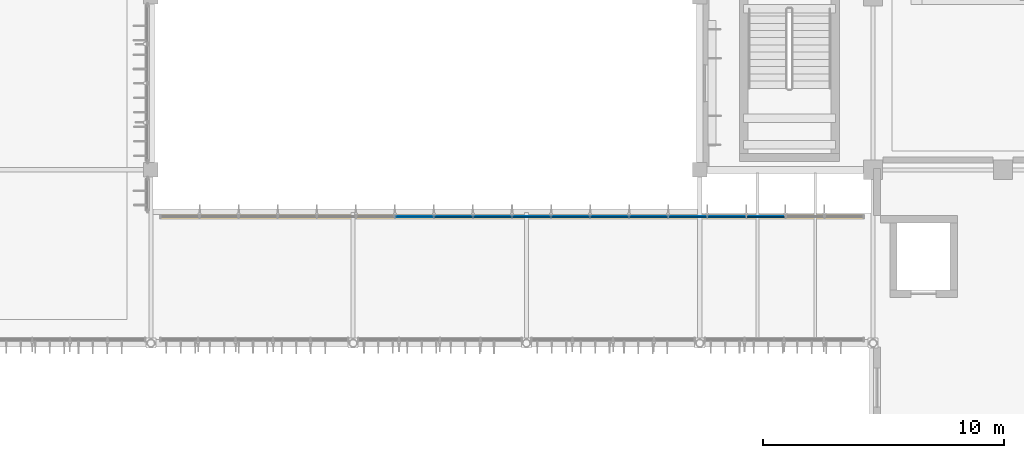
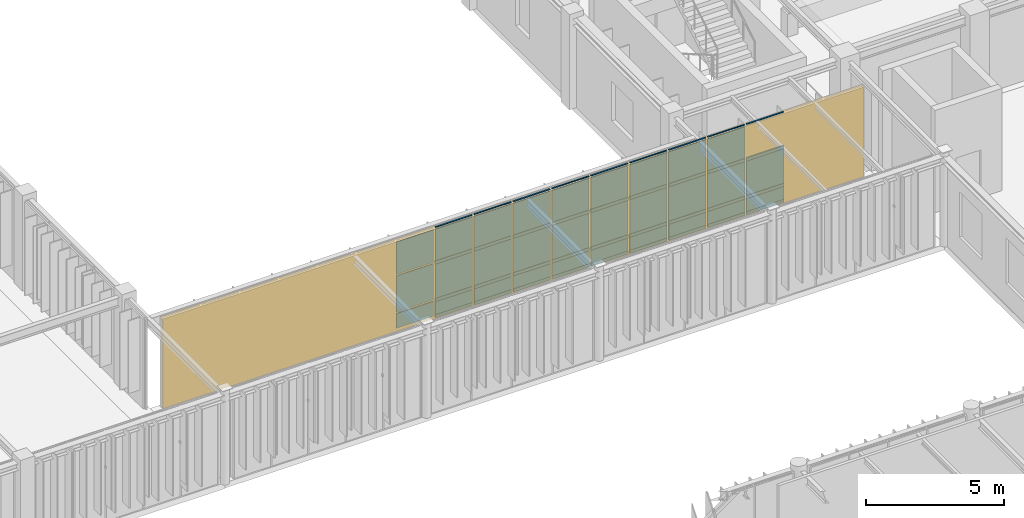
# One storey, part 74 of 104: 36 members, 29 plates, plus 1 element that does not belong to this part.
"""IFC4 building model written with IfcOpenShell, lengths in metres."""

from ifc_helpers import new_model, si_unit, direction, frame, frame_2d, origin, origin_2d, place, context, subcontext, project, spatial, rectangle, extrude, material, layer, layer_set, material_profile, profile_set, type_object, element, aggregate, save


model = new_model("IFC4")

# Units and contexts
model_context = context("Model", 3, precision=1e-05, world=origin(), true_north=direction((0.0, 1.0)))
body_context = subcontext(model_context, "Body", "Model", "MODEL_VIEW")
ifc_project = project(units=[si_unit("LENGTHUNIT", "METRE"), si_unit("AREAUNIT", "SQUARE_METRE"), si_unit("VOLUMEUNIT", "CUBIC_METRE"), si_unit("PLANEANGLEUNIT", "RADIAN"), si_unit("MASSUNIT", "GRAM", prefix="KILO")], contexts=[model_context])

# Member
ifc_material_1 = material(Name="Anodised Bronze Aluminium 6063-T6", Category="aluminium")
ifc_material_profile = material_profile(ifc_material_1, rectangle(XDim=0.06005859375, YDim=0.139892578125, at=origin_2d()), Name="ALU TRANSOM 60x140")
ifc_profile_set = profile_set([ifc_material_profile], Name="Anodised Bronze Aluminium 6063-T6")
member_type = type_object("IfcMemberType", Name="Curtain-Wall Transom 60x140", PredefinedType="USERDEFINED", material=ifc_profile_set)
site_placement = place(None, origin())
building_placement = place(site_placement, origin())
storey_placement = place(building_placement, frame((0.0, 0.0, 9.0)))
member_1_placement = place(storey_placement, frame((39.390625, 49.85009765625, 0.0400390625), z_axis=(1.0, 0.0, 0.0), x_axis=(0.0, 1.0, 0.0)))
member_1 = element("IfcMember", 1, at=member_1_placement, type_object=member_type, Name="Transom CWT-01 CW-WLNK-N-L02-T08.1", ObjectType="TRANSOM", PredefinedType="USERDEFINED", context=body_context, shape_type="SweptSolid", body=[
    extrude(rectangle(XDim=0.06005859375, YDim=0.139892578125, at=origin_2d()), origin(), (0.0, 0.0, 1.0), 1.55224609375),
])

member_2_placement = place(storey_placement, frame((39.390625, 49.85009765625, 0.75), z_axis=(1.0, 0.0, 0.0), x_axis=(0.0, 1.0, 0.0)))
member_2 = element("IfcMember", 2, at=member_2_placement, type_object=member_type, Name="Transom CWT-01 CW-WLNK-N-L02-T08.2", ObjectType="TRANSOM", PredefinedType="USERDEFINED", context=body_context, shape_type="SweptSolid", body=[
    extrude(rectangle(XDim=0.06005859375, YDim=0.139892578125, at=origin_2d()), origin(), (0.0, 0.0, 1.0), 1.55224609375),
])

member_3_placement = place(storey_placement, frame((39.390625, 49.85009765625, 2.40869140625), z_axis=(1.0, 0.0, 0.0), x_axis=(0.0, 1.0, 0.0)))
member_3 = element("IfcMember", 3, at=member_3_placement, type_object=member_type, Name="Transom CWT-01 CW-WLNK-N-L02-T08.3", ObjectType="TRANSOM", PredefinedType="USERDEFINED", context=body_context, shape_type="SweptSolid", body=[
    extrude(rectangle(XDim=0.06005859375, YDim=0.139892578125, at=origin_2d()), origin(), (0.0, 0.0, 1.0), 1.55224609375),
])

member_4_placement = place(storey_placement, frame((39.390625, 49.85009765625, 3.89990234375), z_axis=(1.0, 0.0, 0.0), x_axis=(0.0, 1.0, 0.0)))
member_4 = element("IfcMember", 4, at=member_4_placement, type_object=member_type, Name="Transom CWT-01 CW-WLNK-N-L02-T08.4", ObjectType="TRANSOM", PredefinedType="USERDEFINED", context=body_context, shape_type="SweptSolid", body=[
    extrude(rectangle(XDim=0.06005859375, YDim=0.139892578125, at=origin_2d()), origin(), (0.0, 0.0, 1.0), 1.55224609375),
])

member_5_placement = place(storey_placement, frame((41.0126953125, 49.85009765625, 0.0400390625), z_axis=(1.0, 0.0, 0.0), x_axis=(0.0, 1.0, 0.0)))
member_5 = element("IfcMember", 5, at=member_5_placement, type_object=member_type, Name="Transom CWT-01 CW-WLNK-N-L02-T09.1", ObjectType="TRANSOM", PredefinedType="USERDEFINED", context=body_context, shape_type="SweptSolid", body=[
    extrude(rectangle(XDim=0.06005859375, YDim=0.139892578125, at=origin_2d()), origin(), (0.0, 0.0, 1.0), 1.55224609375),
])

member_6_placement = place(storey_placement, frame((41.0126953125, 49.85009765625, 0.75), z_axis=(1.0, 0.0, 0.0), x_axis=(0.0, 1.0, 0.0)))
member_6 = element("IfcMember", 6, at=member_6_placement, type_object=member_type, Name="Transom CWT-01 CW-WLNK-N-L02-T09.2", ObjectType="TRANSOM", PredefinedType="USERDEFINED", context=body_context, shape_type="SweptSolid", body=[
    extrude(rectangle(XDim=0.06005859375, YDim=0.139892578125, at=origin_2d()), origin(), (0.0, 0.0, 1.0), 1.55224609375),
])

member_7_placement = place(storey_placement, frame((41.0126953125, 49.85009765625, 2.40869140625), z_axis=(1.0, 0.0, 0.0), x_axis=(0.0, 1.0, 0.0)))
member_7 = element("IfcMember", 7, at=member_7_placement, type_object=member_type, Name="Transom CWT-01 CW-WLNK-N-L02-T09.3", ObjectType="TRANSOM", PredefinedType="USERDEFINED", context=body_context, shape_type="SweptSolid", body=[
    extrude(rectangle(XDim=0.06005859375, YDim=0.139892578125, at=origin_2d()), origin(), (0.0, 0.0, 1.0), 1.55224609375),
])

member_8_placement = place(storey_placement, frame((41.0126953125, 49.85009765625, 3.89990234375), z_axis=(1.0, 0.0, 0.0), x_axis=(0.0, 1.0, 0.0)))
member_8 = element("IfcMember", 8, at=member_8_placement, type_object=member_type, Name="Transom CWT-01 CW-WLNK-N-L02-T09.4", ObjectType="TRANSOM", PredefinedType="USERDEFINED", context=body_context, shape_type="SweptSolid", body=[
    extrude(rectangle(XDim=0.06005859375, YDim=0.139892578125, at=origin_2d()), origin(), (0.0, 0.0, 1.0), 1.55224609375),
])

member_9_placement = place(storey_placement, frame((42.635009765625, 49.85009765625, 0.0400390625), z_axis=(1.0, 0.0, 0.0), x_axis=(0.0, 1.0, 0.0)))
member_9 = element("IfcMember", 9, at=member_9_placement, type_object=member_type, Name="Transom CWT-01 CW-WLNK-N-L02-T10.1", ObjectType="TRANSOM", PredefinedType="USERDEFINED", context=body_context, shape_type="SweptSolid", body=[
    extrude(rectangle(XDim=0.06005859375, YDim=0.139892578125, at=origin_2d()), origin(), (0.0, 0.0, 1.0), 1.55224609375),
])

member_10_placement = place(storey_placement, frame((42.635009765625, 49.85009765625, 0.75), z_axis=(1.0, 0.0, 0.0), x_axis=(0.0, 1.0, 0.0)))
member_10 = element("IfcMember", 10, at=member_10_placement, type_object=member_type, Name="Transom CWT-01 CW-WLNK-N-L02-T10.2", ObjectType="TRANSOM", PredefinedType="USERDEFINED", context=body_context, shape_type="SweptSolid", body=[
    extrude(rectangle(XDim=0.06005859375, YDim=0.139892578125, at=origin_2d()), origin(), (0.0, 0.0, 1.0), 1.55224609375),
])

member_11_placement = place(storey_placement, frame((42.635009765625, 49.85009765625, 2.40869140625), z_axis=(1.0, 0.0, 0.0), x_axis=(0.0, 1.0, 0.0)))
member_11 = element("IfcMember", 11, at=member_11_placement, type_object=member_type, Name="Transom CWT-01 CW-WLNK-N-L02-T10.3", ObjectType="TRANSOM", PredefinedType="USERDEFINED", context=body_context, shape_type="SweptSolid", body=[
    extrude(rectangle(XDim=0.06005859375, YDim=0.139892578125, at=origin_2d()), origin(), (0.0, 0.0, 1.0), 1.55224609375),
])

member_12_placement = place(storey_placement, frame((42.635009765625, 49.85009765625, 3.89990234375), z_axis=(1.0, 0.0, 0.0), x_axis=(0.0, 1.0, 0.0)))
member_12 = element("IfcMember", 12, at=member_12_placement, type_object=member_type, Name="Transom CWT-01 CW-WLNK-N-L02-T10.4", ObjectType="TRANSOM", PredefinedType="USERDEFINED", context=body_context, shape_type="SweptSolid", body=[
    extrude(rectangle(XDim=0.06005859375, YDim=0.139892578125, at=origin_2d()), origin(), (0.0, 0.0, 1.0), 1.55224609375),
])

member_13_placement = place(storey_placement, frame((44.257080078125, 49.85009765625, 0.0400390625), z_axis=(1.0, 0.0, 0.0), x_axis=(0.0, 1.0, 0.0)))
member_13 = element("IfcMember", 13, at=member_13_placement, type_object=member_type, Name="Transom CWT-01 CW-WLNK-N-L02-T11.1", ObjectType="TRANSOM", PredefinedType="USERDEFINED", context=body_context, shape_type="SweptSolid", body=[
    extrude(rectangle(XDim=0.06005859375, YDim=0.139892578125, at=origin_2d()), origin(), (0.0, 0.0, 1.0), 1.55224609375),
])

member_14_placement = place(storey_placement, frame((44.257080078125, 49.85009765625, 0.75), z_axis=(1.0, 0.0, 0.0), x_axis=(0.0, 1.0, 0.0)))
member_14 = element("IfcMember", 14, at=member_14_placement, type_object=member_type, Name="Transom CWT-01 CW-WLNK-N-L02-T11.2", ObjectType="TRANSOM", PredefinedType="USERDEFINED", context=body_context, shape_type="SweptSolid", body=[
    extrude(rectangle(XDim=0.06005859375, YDim=0.139892578125, at=origin_2d()), origin(), (0.0, 0.0, 1.0), 1.55224609375),
])

member_15_placement = place(storey_placement, frame((44.257080078125, 49.85009765625, 2.40869140625), z_axis=(1.0, 0.0, 0.0), x_axis=(0.0, 1.0, 0.0)))
member_15 = element("IfcMember", 15, at=member_15_placement, type_object=member_type, Name="Transom CWT-01 CW-WLNK-N-L02-T11.3", ObjectType="TRANSOM", PredefinedType="USERDEFINED", context=body_context, shape_type="SweptSolid", body=[
    extrude(rectangle(XDim=0.06005859375, YDim=0.139892578125, at=origin_2d()), origin(), (0.0, 0.0, 1.0), 1.55224609375),
])

member_16_placement = place(storey_placement, frame((44.257080078125, 49.85009765625, 3.89990234375), z_axis=(1.0, 0.0, 0.0), x_axis=(0.0, 1.0, 0.0)))
member_16 = element("IfcMember", 16, at=member_16_placement, type_object=member_type, Name="Transom CWT-01 CW-WLNK-N-L02-T11.4", ObjectType="TRANSOM", PredefinedType="USERDEFINED", context=body_context, shape_type="SweptSolid", body=[
    extrude(rectangle(XDim=0.06005859375, YDim=0.139892578125, at=origin_2d()), origin(), (0.0, 0.0, 1.0), 1.55224609375),
])

member_17_placement = place(storey_placement, frame((45.87939453125, 49.85009765625, 0.0400390625), z_axis=(1.0, 0.0, 0.0), x_axis=(0.0, 1.0, 0.0)))
member_17 = element("IfcMember", 17, at=member_17_placement, type_object=member_type, Name="Transom CWT-01 CW-WLNK-N-L02-T12.1", ObjectType="TRANSOM", PredefinedType="USERDEFINED", context=body_context, shape_type="SweptSolid", body=[
    extrude(rectangle(XDim=0.06005859375, YDim=0.139892578125, at=origin_2d()), origin(), (0.0, 0.0, 1.0), 1.55224609375),
])

member_18_placement = place(storey_placement, frame((45.87939453125, 49.85009765625, 0.75), z_axis=(1.0, 0.0, 0.0), x_axis=(0.0, 1.0, 0.0)))
member_18 = element("IfcMember", 18, at=member_18_placement, type_object=member_type, Name="Transom CWT-01 CW-WLNK-N-L02-T12.2", ObjectType="TRANSOM", PredefinedType="USERDEFINED", context=body_context, shape_type="SweptSolid", body=[
    extrude(rectangle(XDim=0.06005859375, YDim=0.139892578125, at=origin_2d()), origin(), (0.0, 0.0, 1.0), 1.55224609375),
])

member_19_placement = place(storey_placement, frame((45.87939453125, 49.85009765625, 2.40869140625), z_axis=(1.0, 0.0, 0.0), x_axis=(0.0, 1.0, 0.0)))
member_19 = element("IfcMember", 19, at=member_19_placement, type_object=member_type, Name="Transom CWT-01 CW-WLNK-N-L02-T12.3", ObjectType="TRANSOM", PredefinedType="USERDEFINED", context=body_context, shape_type="SweptSolid", body=[
    extrude(rectangle(XDim=0.06005859375, YDim=0.139892578125, at=origin_2d()), origin(), (0.0, 0.0, 1.0), 1.55224609375),
])

member_20_placement = place(storey_placement, frame((45.87939453125, 49.85009765625, 3.89990234375), z_axis=(1.0, 0.0, 0.0), x_axis=(0.0, 1.0, 0.0)))
member_20 = element("IfcMember", 20, at=member_20_placement, type_object=member_type, Name="Transom CWT-01 CW-WLNK-N-L02-T12.4", ObjectType="TRANSOM", PredefinedType="USERDEFINED", context=body_context, shape_type="SweptSolid", body=[
    extrude(rectangle(XDim=0.06005859375, YDim=0.139892578125, at=origin_2d()), origin(), (0.0, 0.0, 1.0), 1.55224609375),
])

member_21_placement = place(storey_placement, frame((47.501708984375, 49.85009765625, 0.0400390625), z_axis=(1.0, 0.0, 0.0), x_axis=(0.0, 1.0, 0.0)))
member_21 = element("IfcMember", 21, at=member_21_placement, type_object=member_type, Name="Transom CWT-01 CW-WLNK-N-L02-T13.1", ObjectType="TRANSOM", PredefinedType="USERDEFINED", context=body_context, shape_type="SweptSolid", body=[
    extrude(rectangle(XDim=0.06005859375, YDim=0.139892578125, at=origin_2d()), origin(), (0.0, 0.0, 1.0), 1.55224609375),
])

member_22_placement = place(storey_placement, frame((47.501708984375, 49.85009765625, 0.75), z_axis=(1.0, 0.0, 0.0), x_axis=(0.0, 1.0, 0.0)))
member_22 = element("IfcMember", 22, at=member_22_placement, type_object=member_type, Name="Transom CWT-01 CW-WLNK-N-L02-T13.2", ObjectType="TRANSOM", PredefinedType="USERDEFINED", context=body_context, shape_type="SweptSolid", body=[
    extrude(rectangle(XDim=0.06005859375, YDim=0.139892578125, at=origin_2d()), origin(), (0.0, 0.0, 1.0), 1.55224609375),
])

member_23_placement = place(storey_placement, frame((47.501708984375, 49.85009765625, 2.40869140625), z_axis=(1.0, 0.0, 0.0), x_axis=(0.0, 1.0, 0.0)))
member_23 = element("IfcMember", 23, at=member_23_placement, type_object=member_type, Name="Transom CWT-01 CW-WLNK-N-L02-T13.3", ObjectType="TRANSOM", PredefinedType="USERDEFINED", context=body_context, shape_type="SweptSolid", body=[
    extrude(rectangle(XDim=0.06005859375, YDim=0.139892578125, at=origin_2d()), origin(), (0.0, 0.0, 1.0), 1.55224609375),
])

member_24_placement = place(storey_placement, frame((47.501708984375, 49.85009765625, 3.89990234375), z_axis=(1.0, 0.0, 0.0), x_axis=(0.0, 1.0, 0.0)))
member_24 = element("IfcMember", 24, at=member_24_placement, type_object=member_type, Name="Transom CWT-01 CW-WLNK-N-L02-T13.4", ObjectType="TRANSOM", PredefinedType="USERDEFINED", context=body_context, shape_type="SweptSolid", body=[
    extrude(rectangle(XDim=0.06005859375, YDim=0.139892578125, at=origin_2d()), origin(), (0.0, 0.0, 1.0), 1.55224609375),
])

member_25_placement = place(storey_placement, frame((49.123779296875, 49.85009765625, 0.0400390625), z_axis=(1.0, 0.0, 0.0), x_axis=(0.0, 1.0, 0.0)))
member_25 = element("IfcMember", 25, at=member_25_placement, type_object=member_type, Name="Transom CWT-01 CW-WLNK-N-L02-T14.1", ObjectType="TRANSOM", PredefinedType="USERDEFINED", context=body_context, shape_type="SweptSolid", body=[
    extrude(rectangle(XDim=0.06005859375, YDim=0.139892578125, at=origin_2d()), origin(), (0.0, 0.0, 1.0), 1.55224609375),
])

member_26_placement = place(storey_placement, frame((49.123779296875, 49.85009765625, 0.75), z_axis=(1.0, 0.0, 0.0), x_axis=(0.0, 1.0, 0.0)))
member_26 = element("IfcMember", 26, at=member_26_placement, type_object=member_type, Name="Transom CWT-01 CW-WLNK-N-L02-T14.2", ObjectType="TRANSOM", PredefinedType="USERDEFINED", context=body_context, shape_type="SweptSolid", body=[
    extrude(rectangle(XDim=0.06005859375, YDim=0.139892578125, at=origin_2d()), origin(), (0.0, 0.0, 1.0), 1.55224609375),
])

member_27_placement = place(storey_placement, frame((49.123779296875, 49.85009765625, 2.40869140625), z_axis=(1.0, 0.0, 0.0), x_axis=(0.0, 1.0, 0.0)))
member_27 = element("IfcMember", 27, at=member_27_placement, type_object=member_type, Name="Transom CWT-01 CW-WLNK-N-L02-T14.3", ObjectType="TRANSOM", PredefinedType="USERDEFINED", context=body_context, shape_type="SweptSolid", body=[
    extrude(rectangle(XDim=0.06005859375, YDim=0.139892578125, at=origin_2d()), origin(), (0.0, 0.0, 1.0), 1.55224609375),
])

member_28_placement = place(storey_placement, frame((49.123779296875, 49.85009765625, 3.89990234375), z_axis=(1.0, 0.0, 0.0), x_axis=(0.0, 1.0, 0.0)))
member_28 = element("IfcMember", 28, at=member_28_placement, type_object=member_type, Name="Transom CWT-01 CW-WLNK-N-L02-T14.4", ObjectType="TRANSOM", PredefinedType="USERDEFINED", context=body_context, shape_type="SweptSolid", body=[
    extrude(rectangle(XDim=0.06005859375, YDim=0.139892578125, at=origin_2d()), origin(), (0.0, 0.0, 1.0), 1.55224609375),
])

member_29_placement = place(storey_placement, frame((50.74609375, 49.85009765625, 0.0400390625), z_axis=(1.0, 0.0, 0.0), x_axis=(0.0, 1.0, 0.0)))
member_29 = element("IfcMember", 29, at=member_29_placement, type_object=member_type, Name="Transom CWT-01 CW-WLNK-N-L02-T15.1", ObjectType="TRANSOM", PredefinedType="USERDEFINED", context=body_context, shape_type="SweptSolid", body=[
    extrude(rectangle(XDim=0.06005859375, YDim=0.139892578125, at=origin_2d()), origin(), (0.0, 0.0, 1.0), 1.55224609375),
])

member_30_placement = place(storey_placement, frame((50.74609375, 49.85009765625, 0.75), z_axis=(1.0, 0.0, 0.0), x_axis=(0.0, 1.0, 0.0)))
member_30 = element("IfcMember", 30, at=member_30_placement, type_object=member_type, Name="Transom CWT-01 CW-WLNK-N-L02-T15.2", ObjectType="TRANSOM", PredefinedType="USERDEFINED", context=body_context, shape_type="SweptSolid", body=[
    extrude(rectangle(XDim=0.06005859375, YDim=0.139892578125, at=origin_2d()), origin(), (0.0, 0.0, 1.0), 1.55224609375),
])

member_31_placement = place(storey_placement, frame((50.74609375, 49.85009765625, 2.40869140625), z_axis=(1.0, 0.0, 0.0), x_axis=(0.0, 1.0, 0.0)))
member_31 = element("IfcMember", 31, at=member_31_placement, type_object=member_type, Name="Transom CWT-01 CW-WLNK-N-L02-T15.3", ObjectType="TRANSOM", PredefinedType="USERDEFINED", context=body_context, shape_type="SweptSolid", body=[
    extrude(rectangle(XDim=0.06005859375, YDim=0.139892578125, at=origin_2d()), origin(), (0.0, 0.0, 1.0), 1.55224609375),
])

member_32_placement = place(storey_placement, frame((50.74609375, 49.85009765625, 3.89990234375), z_axis=(1.0, 0.0, 0.0), x_axis=(0.0, 1.0, 0.0)))
member_32 = element("IfcMember", 32, at=member_32_placement, type_object=member_type, Name="Transom CWT-01 CW-WLNK-N-L02-T15.4", ObjectType="TRANSOM", PredefinedType="USERDEFINED", context=body_context, shape_type="SweptSolid", body=[
    extrude(rectangle(XDim=0.06005859375, YDim=0.139892578125, at=origin_2d()), origin(), (0.0, 0.0, 1.0), 1.55224609375),
])

member_33_placement = place(storey_placement, frame((52.368408203125, 49.85009765625, 0.0400390625), z_axis=(1.0, 0.0, 0.0), x_axis=(0.0, 1.0, 0.0)))
member_33 = element("IfcMember", 33, at=member_33_placement, type_object=member_type, Name="Transom CWT-01 CW-WLNK-N-L02-T16.1", ObjectType="TRANSOM", PredefinedType="USERDEFINED", context=body_context, shape_type="SweptSolid", body=[
    extrude(rectangle(XDim=0.06005859375, YDim=0.139892578125, at=origin_2d()), origin(), (0.0, 0.0, 1.0), 1.55224609375),
])

member_34_placement = place(storey_placement, frame((52.368408203125, 49.85009765625, 0.75), z_axis=(1.0, 0.0, 0.0), x_axis=(0.0, 1.0, 0.0)))
member_34 = element("IfcMember", 34, at=member_34_placement, type_object=member_type, Name="Transom CWT-01 CW-WLNK-N-L02-T16.2", ObjectType="TRANSOM", PredefinedType="USERDEFINED", context=body_context, shape_type="SweptSolid", body=[
    extrude(rectangle(XDim=0.06005859375, YDim=0.139892578125, at=origin_2d()), origin(), (0.0, 0.0, 1.0), 1.55224609375),
])

member_35_placement = place(storey_placement, frame((52.368408203125, 49.85009765625, 2.40869140625), z_axis=(1.0, 0.0, 0.0), x_axis=(0.0, 1.0, 0.0)))
member_35 = element("IfcMember", 35, at=member_35_placement, type_object=member_type, Name="Transom CWT-01 CW-WLNK-N-L02-T16.3", ObjectType="TRANSOM", PredefinedType="USERDEFINED", context=body_context, shape_type="SweptSolid", body=[
    extrude(rectangle(XDim=0.06005859375, YDim=0.139892578125, at=origin_2d()), origin(), (0.0, 0.0, 1.0), 1.55224609375),
])

member_36_placement = place(storey_placement, frame((52.368408203125, 49.85009765625, 3.89990234375), z_axis=(1.0, 0.0, 0.0), x_axis=(0.0, 1.0, 0.0)))
member_36 = element("IfcMember", 36, at=member_36_placement, type_object=member_type, Name="Transom CWT-01 CW-WLNK-N-L02-T16.4", ObjectType="TRANSOM", PredefinedType="USERDEFINED", context=body_context, shape_type="SweptSolid", body=[
    extrude(rectangle(XDim=0.06005859375, YDim=0.139892578125, at=origin_2d()), origin(), (0.0, 0.0, 1.0), 1.55224609375),
])

# Plate
ifc_material_2 = material(Name="Insulated Bronze Aluminium Spandrel Panel", Category="aluminium")
ifc_layer_1 = layer(ifc_material_2, 0.050048828125, Name="Insulated Bronze Aluminium Spandrel Panel")
ifc_layer_set_1 = layer_set([ifc_layer_1], Name="Insulated Bronze Aluminium Spandrel Panel")
plate_type_1 = type_object("IfcPlateType", Name="Insulated Anodised Aluminium Spandrel Cassette 50", PredefinedType="CURTAIN_PANEL", material=ifc_layer_set_1)
plate_1_placement = place(storey_placement, frame((38.54443359375, 49.85009765625, 0.070068359375), z_axis=(0.0, 0.0, 1.0), x_axis=(1.0, 0.0, 0.0)))
plate_1 = element("IfcPlate", 37, at=plate_1_placement, type_object=plate_type_1, Name="Curtain Panel CWP-03 CW-WLNK-N-L02-P07.1", PredefinedType="CURTAIN_PANEL", context=body_context, shape_type="SweptSolid", body=[
    extrude(rectangle(XDim=1.55224609375, YDim=0.050048828125, at=origin_2d()), origin(), (0.0, 0.0, 1.0), 0.64990234375),
])

plate_2_placement = place(storey_placement, frame((40.166748046875, 49.85009765625, 0.070068359375), z_axis=(0.0, 0.0, 1.0), x_axis=(1.0, 0.0, 0.0)))
plate_2 = element("IfcPlate", 38, at=plate_2_placement, type_object=plate_type_1, Name="Curtain Panel CWP-03 CW-WLNK-N-L02-P08.1", PredefinedType="CURTAIN_PANEL", context=body_context, shape_type="SweptSolid", body=[
    extrude(rectangle(XDim=1.55224609375, YDim=0.050048828125, at=origin_2d()), origin(), (0.0, 0.0, 1.0), 0.64990234375),
])

plate_3_placement = place(storey_placement, frame((41.788818359375, 49.85009765625, 0.070068359375), z_axis=(0.0, 0.0, 1.0), x_axis=(1.0, 0.0, 0.0)))
plate_3 = element("IfcPlate", 39, at=plate_3_placement, type_object=plate_type_1, Name="Curtain Panel CWP-03 CW-WLNK-N-L02-P09.1", PredefinedType="CURTAIN_PANEL", context=body_context, shape_type="SweptSolid", body=[
    extrude(rectangle(XDim=1.55224609375, YDim=0.050048828125, at=origin_2d()), origin(), (0.0, 0.0, 1.0), 0.64990234375),
])

plate_4_placement = place(storey_placement, frame((43.4111328125, 49.85009765625, 0.070068359375), z_axis=(0.0, 0.0, 1.0), x_axis=(1.0, 0.0, 0.0)))
plate_4 = element("IfcPlate", 40, at=plate_4_placement, type_object=plate_type_1, Name="Curtain Panel CWP-03 CW-WLNK-N-L02-P10.1", PredefinedType="CURTAIN_PANEL", context=body_context, shape_type="SweptSolid", body=[
    extrude(rectangle(XDim=1.55224609375, YDim=0.050048828125, at=origin_2d()), origin(), (0.0, 0.0, 1.0), 0.64990234375),
])

plate_5_placement = place(storey_placement, frame((45.033203125, 49.85009765625, 0.070068359375), z_axis=(0.0, 0.0, 1.0), x_axis=(1.0, 0.0, 0.0)))
plate_5 = element("IfcPlate", 41, at=plate_5_placement, type_object=plate_type_1, Name="Curtain Panel CWP-03 CW-WLNK-N-L02-P11.1", PredefinedType="CURTAIN_PANEL", context=body_context, shape_type="SweptSolid", body=[
    extrude(rectangle(XDim=1.55224609375, YDim=0.050048828125, at=origin_2d()), origin(), (0.0, 0.0, 1.0), 0.64990234375),
])

plate_6_placement = place(storey_placement, frame((46.655517578125, 49.85009765625, 0.070068359375), z_axis=(0.0, 0.0, 1.0), x_axis=(1.0, 0.0, 0.0)))
plate_6 = element("IfcPlate", 42, at=plate_6_placement, type_object=plate_type_1, Name="Curtain Panel CWP-03 CW-WLNK-N-L02-P12.1", PredefinedType="CURTAIN_PANEL", context=body_context, shape_type="SweptSolid", body=[
    extrude(rectangle(XDim=1.55224609375, YDim=0.050048828125, at=origin_2d()), origin(), (0.0, 0.0, 1.0), 0.64990234375),
])

plate_7_placement = place(storey_placement, frame((48.27783203125, 49.85009765625, 0.070068359375), z_axis=(0.0, 0.0, 1.0), x_axis=(1.0, 0.0, 0.0)))
plate_7 = element("IfcPlate", 43, at=plate_7_placement, type_object=plate_type_1, Name="Curtain Panel CWP-03 CW-WLNK-N-L02-P13.1", PredefinedType="CURTAIN_PANEL", context=body_context, shape_type="SweptSolid", body=[
    extrude(rectangle(XDim=1.55224609375, YDim=0.050048828125, at=origin_2d()), origin(), (0.0, 0.0, 1.0), 0.64990234375),
])

plate_8_placement = place(storey_placement, frame((49.89990234375, 49.85009765625, 0.070068359375), z_axis=(0.0, 0.0, 1.0), x_axis=(1.0, 0.0, 0.0)))
plate_8 = element("IfcPlate", 44, at=plate_8_placement, type_object=plate_type_1, Name="Curtain Panel CWP-03 CW-WLNK-N-L02-P14.1", PredefinedType="CURTAIN_PANEL", context=body_context, shape_type="SweptSolid", body=[
    extrude(rectangle(XDim=1.55224609375, YDim=0.050048828125, at=origin_2d()), origin(), (0.0, 0.0, 1.0), 0.64990234375),
])

plate_9_placement = place(storey_placement, frame((51.522216796875, 49.85009765625, 0.070068359375), z_axis=(0.0, 0.0, 1.0), x_axis=(1.0, 0.0, 0.0)))
plate_9 = element("IfcPlate", 45, at=plate_9_placement, type_object=plate_type_1, Name="Curtain Panel CWP-03 CW-WLNK-N-L02-P15.1", PredefinedType="CURTAIN_PANEL", context=body_context, shape_type="SweptSolid", body=[
    extrude(rectangle(XDim=1.55224609375, YDim=0.050048828125, at=origin_2d()), origin(), (0.0, 0.0, 1.0), 0.64990234375),
])

plate_10_placement = place(storey_placement, frame((53.144287109375, 49.85009765625, 0.070068359375), z_axis=(0.0, 0.0, 1.0), x_axis=(1.0, 0.0, 0.0)))
plate_10 = element("IfcPlate", 46, at=plate_10_placement, type_object=plate_type_1, Name="Curtain Panel CWP-03 CW-WLNK-N-L02-P16.1", PredefinedType="CURTAIN_PANEL", context=body_context, shape_type="SweptSolid", body=[
    extrude(rectangle(XDim=1.55224609375, YDim=0.050048828125, at=origin_2d()), origin(), (0.0, 0.0, 1.0), 0.64990234375),
])

ifc_material_3 = material(Name="Solar-Control Tempered Double Glazing", Category="glass")
ifc_layer_2 = layer(ifc_material_3, 0.0380859375, Name="Solar-Control Tempered Double Glazing")
ifc_layer_set_2 = layer_set([ifc_layer_2], Name="Solar-Control Tempered Double Glazing")
plate_type_2 = type_object("IfcPlateType", Name="Solar-Control Vision Glazing Unit 38", PredefinedType="CURTAIN_PANEL", material=ifc_layer_set_2)
plate_11_placement = place(storey_placement, frame((38.54443359375, 49.85009765625, 0.77978515625), z_axis=(0.0, 0.0, 1.0), x_axis=(1.0, 0.0, 0.0)))
plate_11 = element("IfcPlate", 47, at=plate_11_placement, type_object=plate_type_2, Name="Curtain Panel CWP-02 CW-WLNK-N-L02-P07.2", PredefinedType="CURTAIN_PANEL", context=body_context, shape_type="SweptSolid", body=[
    extrude(rectangle(XDim=1.55224609375, YDim=0.0380859375, at=origin_2d()), origin(), (0.0, 0.0, 1.0), 1.598876953125),
])

plate_12_placement = place(storey_placement, frame((38.54443359375, 49.85009765625, 2.438720703125), z_axis=(0.0, 0.0, 1.0), x_axis=(1.0, 0.0, 0.0)))
plate_12 = element("IfcPlate", 48, at=plate_12_placement, type_object=plate_type_2, Name="Curtain Panel CWP-02 CW-WLNK-N-L02-P07.3", PredefinedType="CURTAIN_PANEL", context=body_context, shape_type="SweptSolid", body=[
    extrude(rectangle(XDim=1.55224609375, YDim=0.0380859375, at=origin_2d()), origin(), (0.0, 0.0, 1.0), 1.43115234375),
])

plate_13_placement = place(storey_placement, frame((40.166748046875, 49.85009765625, 0.77978515625), z_axis=(0.0, 0.0, 1.0), x_axis=(1.0, 0.0, 0.0)))
plate_13 = element("IfcPlate", 49, at=plate_13_placement, type_object=plate_type_2, Name="Curtain Panel CWP-02 CW-WLNK-N-L02-P08.2", PredefinedType="CURTAIN_PANEL", context=body_context, shape_type="SweptSolid", body=[
    extrude(rectangle(XDim=1.55224609375, YDim=0.0380859375, at=origin_2d()), origin(), (0.0, 0.0, 1.0), 1.598876953125),
])

plate_14_placement = place(storey_placement, frame((40.166748046875, 49.85009765625, 2.438720703125), z_axis=(0.0, 0.0, 1.0), x_axis=(1.0, 0.0, 0.0)))
plate_14 = element("IfcPlate", 50, at=plate_14_placement, type_object=plate_type_2, Name="Curtain Panel CWP-02 CW-WLNK-N-L02-P08.3", PredefinedType="CURTAIN_PANEL", context=body_context, shape_type="SweptSolid", body=[
    extrude(rectangle(XDim=1.55224609375, YDim=0.0380859375, at=origin_2d()), origin(), (0.0, 0.0, 1.0), 1.43115234375),
])

plate_15_placement = place(storey_placement, frame((41.788818359375, 49.85009765625, 0.77978515625), z_axis=(0.0, 0.0, 1.0), x_axis=(1.0, 0.0, 0.0)))
plate_15 = element("IfcPlate", 51, at=plate_15_placement, type_object=plate_type_2, Name="Curtain Panel CWP-02 CW-WLNK-N-L02-P09.2", PredefinedType="CURTAIN_PANEL", context=body_context, shape_type="SweptSolid", body=[
    extrude(rectangle(XDim=1.55224609375, YDim=0.0380859375, at=origin_2d()), origin(), (0.0, 0.0, 1.0), 1.598876953125),
])

plate_16_placement = place(storey_placement, frame((41.788818359375, 49.85009765625, 2.438720703125), z_axis=(0.0, 0.0, 1.0), x_axis=(1.0, 0.0, 0.0)))
plate_16 = element("IfcPlate", 52, at=plate_16_placement, type_object=plate_type_2, Name="Curtain Panel CWP-02 CW-WLNK-N-L02-P09.3", PredefinedType="CURTAIN_PANEL", context=body_context, shape_type="SweptSolid", body=[
    extrude(rectangle(XDim=1.55224609375, YDim=0.0380859375, at=origin_2d()), origin(), (0.0, 0.0, 1.0), 1.43115234375),
])

plate_17_placement = place(storey_placement, frame((43.4111328125, 49.85009765625, 0.77978515625), z_axis=(0.0, 0.0, 1.0), x_axis=(1.0, 0.0, 0.0)))
plate_17 = element("IfcPlate", 53, at=plate_17_placement, type_object=plate_type_2, Name="Curtain Panel CWP-02 CW-WLNK-N-L02-P10.2", PredefinedType="CURTAIN_PANEL", context=body_context, shape_type="SweptSolid", body=[
    extrude(rectangle(XDim=1.55224609375, YDim=0.0380859375, at=origin_2d()), origin(), (0.0, 0.0, 1.0), 1.598876953125),
])

plate_18_placement = place(storey_placement, frame((43.4111328125, 49.85009765625, 2.438720703125), z_axis=(0.0, 0.0, 1.0), x_axis=(1.0, 0.0, 0.0)))
plate_18 = element("IfcPlate", 54, at=plate_18_placement, type_object=plate_type_2, Name="Curtain Panel CWP-02 CW-WLNK-N-L02-P10.3", PredefinedType="CURTAIN_PANEL", context=body_context, shape_type="SweptSolid", body=[
    extrude(rectangle(XDim=1.55224609375, YDim=0.0380859375, at=origin_2d()), origin(), (0.0, 0.0, 1.0), 1.43115234375),
])

plate_19_placement = place(storey_placement, frame((45.033203125, 49.85009765625, 0.77978515625), z_axis=(0.0, 0.0, 1.0), x_axis=(1.0, 0.0, 0.0)))
plate_19 = element("IfcPlate", 55, at=plate_19_placement, type_object=plate_type_2, Name="Curtain Panel CWP-02 CW-WLNK-N-L02-P11.2", PredefinedType="CURTAIN_PANEL", context=body_context, shape_type="SweptSolid", body=[
    extrude(rectangle(XDim=1.55224609375, YDim=0.0380859375, at=origin_2d()), origin(), (0.0, 0.0, 1.0), 1.598876953125),
])

plate_20_placement = place(storey_placement, frame((45.033203125, 49.85009765625, 2.438720703125), z_axis=(0.0, 0.0, 1.0), x_axis=(1.0, 0.0, 0.0)))
plate_20 = element("IfcPlate", 56, at=plate_20_placement, type_object=plate_type_2, Name="Curtain Panel CWP-02 CW-WLNK-N-L02-P11.3", PredefinedType="CURTAIN_PANEL", context=body_context, shape_type="SweptSolid", body=[
    extrude(rectangle(XDim=1.55224609375, YDim=0.0380859375, at=origin_2d()), origin(), (0.0, 0.0, 1.0), 1.43115234375),
])

plate_21_placement = place(storey_placement, frame((46.655517578125, 49.85009765625, 0.77978515625), z_axis=(0.0, 0.0, 1.0), x_axis=(1.0, 0.0, 0.0)))
plate_21 = element("IfcPlate", 57, at=plate_21_placement, type_object=plate_type_2, Name="Curtain Panel CWP-02 CW-WLNK-N-L02-P12.2", PredefinedType="CURTAIN_PANEL", context=body_context, shape_type="SweptSolid", body=[
    extrude(rectangle(XDim=1.55224609375, YDim=0.0380859375, at=origin_2d()), origin(), (0.0, 0.0, 1.0), 1.598876953125),
])

plate_22_placement = place(storey_placement, frame((46.655517578125, 49.85009765625, 2.438720703125), z_axis=(0.0, 0.0, 1.0), x_axis=(1.0, 0.0, 0.0)))
plate_22 = element("IfcPlate", 58, at=plate_22_placement, type_object=plate_type_2, Name="Curtain Panel CWP-02 CW-WLNK-N-L02-P12.3", PredefinedType="CURTAIN_PANEL", context=body_context, shape_type="SweptSolid", body=[
    extrude(rectangle(XDim=1.55224609375, YDim=0.0380859375, at=origin_2d()), origin(), (0.0, 0.0, 1.0), 1.43115234375),
])

plate_23_placement = place(storey_placement, frame((48.27783203125, 49.85009765625, 0.77978515625), z_axis=(0.0, 0.0, 1.0), x_axis=(1.0, 0.0, 0.0)))
plate_23 = element("IfcPlate", 59, at=plate_23_placement, type_object=plate_type_2, Name="Curtain Panel CWP-02 CW-WLNK-N-L02-P13.2", PredefinedType="CURTAIN_PANEL", context=body_context, shape_type="SweptSolid", body=[
    extrude(rectangle(XDim=1.55224609375, YDim=0.0380859375, at=origin_2d()), origin(), (0.0, 0.0, 1.0), 1.598876953125),
])

plate_24_placement = place(storey_placement, frame((48.27783203125, 49.85009765625, 2.438720703125), z_axis=(0.0, 0.0, 1.0), x_axis=(1.0, 0.0, 0.0)))
plate_24 = element("IfcPlate", 60, at=plate_24_placement, type_object=plate_type_2, Name="Curtain Panel CWP-02 CW-WLNK-N-L02-P13.3", PredefinedType="CURTAIN_PANEL", context=body_context, shape_type="SweptSolid", body=[
    extrude(rectangle(XDim=1.55224609375, YDim=0.0380859375, at=origin_2d()), origin(), (0.0, 0.0, 1.0), 1.43115234375),
])

plate_25_placement = place(storey_placement, frame((49.89990234375, 49.85009765625, 0.77978515625), z_axis=(0.0, 0.0, 1.0), x_axis=(1.0, 0.0, 0.0)))
plate_25 = element("IfcPlate", 61, at=plate_25_placement, type_object=plate_type_2, Name="Curtain Panel CWP-02 CW-WLNK-N-L02-P14.2", PredefinedType="CURTAIN_PANEL", context=body_context, shape_type="SweptSolid", body=[
    extrude(rectangle(XDim=1.55224609375, YDim=0.0380859375, at=origin_2d()), origin(), (0.0, 0.0, 1.0), 1.598876953125),
])

plate_26_placement = place(storey_placement, frame((49.89990234375, 49.85009765625, 2.438720703125), z_axis=(0.0, 0.0, 1.0), x_axis=(1.0, 0.0, 0.0)))
plate_26 = element("IfcPlate", 62, at=plate_26_placement, type_object=plate_type_2, Name="Curtain Panel CWP-02 CW-WLNK-N-L02-P14.3", PredefinedType="CURTAIN_PANEL", context=body_context, shape_type="SweptSolid", body=[
    extrude(rectangle(XDim=1.55224609375, YDim=0.0380859375, at=origin_2d()), origin(), (0.0, 0.0, 1.0), 1.43115234375),
])

plate_27_placement = place(storey_placement, frame((51.522216796875, 49.85009765625, 0.77978515625), z_axis=(0.0, 0.0, 1.0), x_axis=(1.0, 0.0, 0.0)))
plate_27 = element("IfcPlate", 63, at=plate_27_placement, type_object=plate_type_2, Name="Curtain Panel CWP-02 CW-WLNK-N-L02-P15.2", PredefinedType="CURTAIN_PANEL", context=body_context, shape_type="SweptSolid", body=[
    extrude(rectangle(XDim=1.55224609375, YDim=0.0380859375, at=origin_2d()), origin(), (0.0, 0.0, 1.0), 1.598876953125),
])

plate_28_placement = place(storey_placement, frame((51.522216796875, 49.85009765625, 2.438720703125), z_axis=(0.0, 0.0, 1.0), x_axis=(1.0, 0.0, 0.0)))
plate_28 = element("IfcPlate", 64, at=plate_28_placement, type_object=plate_type_2, Name="Curtain Panel CWP-02 CW-WLNK-N-L02-P15.3", PredefinedType="CURTAIN_PANEL", context=body_context, shape_type="SweptSolid", body=[
    extrude(rectangle(XDim=1.55224609375, YDim=0.0380859375, at=origin_2d()), origin(), (0.0, 0.0, 1.0), 1.43115234375),
])

plate_29_placement = place(storey_placement, frame((53.144287109375, 49.85009765625, 0.77978515625), z_axis=(0.0, 0.0, 1.0), x_axis=(1.0, 0.0, 0.0)))
plate_29 = element("IfcPlate", 65, at=plate_29_placement, type_object=plate_type_2, Name="Curtain Panel CWP-02 CW-WLNK-N-L02-P16.2", PredefinedType="CURTAIN_PANEL", context=body_context, shape_type="SweptSolid", body=[
    extrude(rectangle(XDim=1.55224609375, YDim=0.0380859375, at=origin_2d()), origin(), (0.0, 0.0, 1.0), 1.598876953125),
])

# Site, building, storey
site = spatial("IfcSite", under=ifc_project, at=site_placement, CompositionType="ELEMENT")
building = spatial("IfcBuilding", under=site, at=building_placement, Name="Tazoul Stagehouse", CompositionType="ELEMENT")
storey = spatial("IfcBuildingStorey", under=building, at=storey_placement, Name="L02", CompositionType="ELEMENT", Elevation=9.0)

# Curtain wall
curtain_wall_type = type_object("IfcCurtainWallType", Name="Atrium Clerestory Glazed Wall", PredefinedType="NOTDEFINED", material=ifc_material_1)
curtain_wall_placement = place(storey_placement, frame((28.0, 49.85009765625, 0.0), z_axis=(0.0, 0.0, 1.0), x_axis=(1.0, 0.0, 0.0)))
curtain_wall = element("IfcCurtainWall", 66, at=curtain_wall_placement, inside=storey, type_object=curtain_wall_type, Name="L02 Curtain Wall CW-05 (CW-WLNK-N-L02)", PredefinedType="NOTDEFINED", context=body_context, shape_type="SweptSolid", body=[
    extrude(rectangle(XDim=29.199951171875, YDim=0.179931640625, at=frame_2d((14.60009765625, 0.0))), origin(), (0.0, 0.0, 1.0), 3.93994140625),
])

aggregate(curtain_wall, [plate_1, plate_11, plate_12, member_1, member_2, member_3, member_4, plate_2, plate_13, plate_14, member_5, member_6, member_7, member_8, plate_3, plate_15, plate_16, member_9, member_10, member_11, member_12, plate_4, plate_17, plate_18, member_13, member_14, member_15, member_16, plate_5, plate_19, plate_20, member_17, member_18, member_19, member_20, plate_6, plate_21, plate_22, member_21, member_22, member_23, member_24, plate_7, plate_23, plate_24, member_25, member_26, member_27, member_28, plate_8, plate_25, plate_26, member_29, member_30, member_31, member_32, plate_9, plate_27, plate_28, member_33, member_34, member_35, member_36, plate_10, plate_29])

save(model, "model.ifc")
